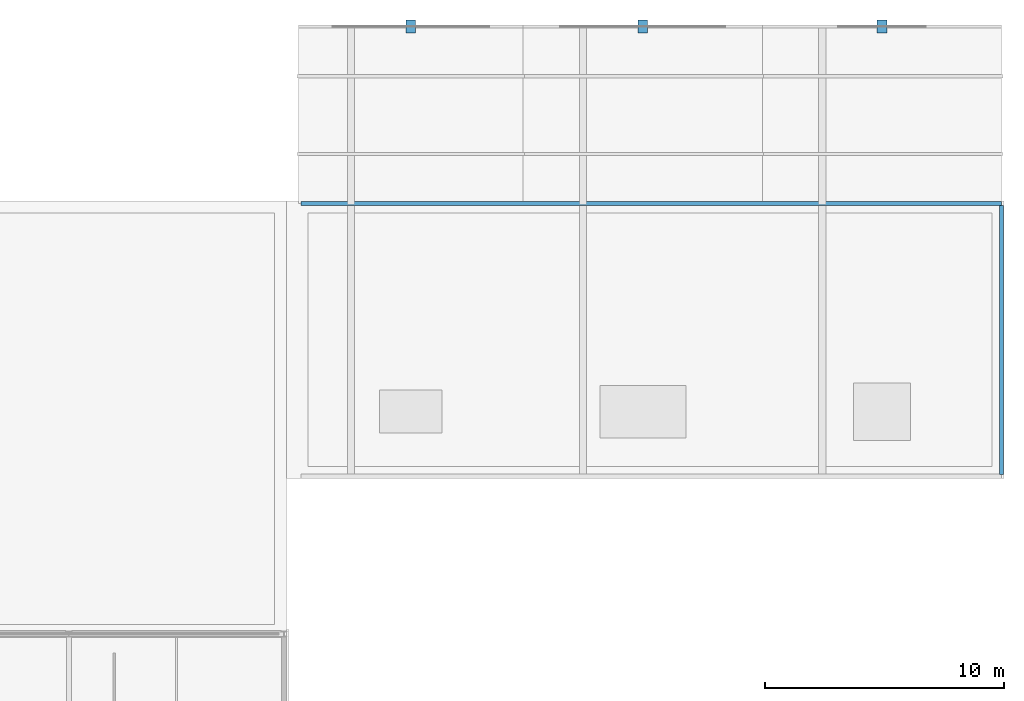
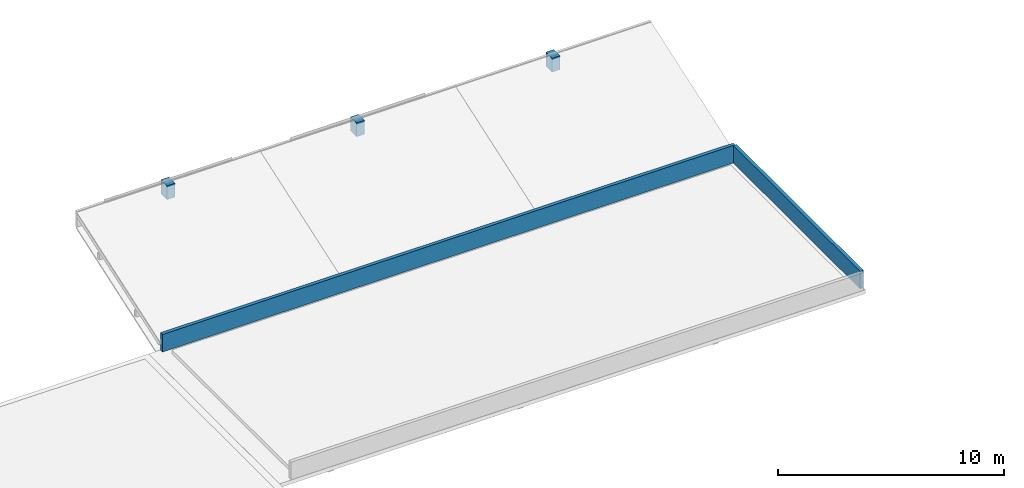
# One storey, part 35 of 38: 3 discrete accessories, 2 walls.
"""IFC4 building model written with IfcOpenShell, lengths in metres."""

from ifc_helpers import new_model, si_unit, direction, frame, frame_2d, origin, origin_2d, place, context, subcontext, project, spatial, rectangle, extrude, material, layer, layer_set, type_object, element, save


model = new_model("IFC4")

# Units and contexts
model_context = context("Model", 3, precision=1e-05, world=origin(), true_north=direction((0.0, 1.0)))
body_context = subcontext(model_context, "Body", "Model", "MODEL_VIEW")
ifc_project = project(units=[si_unit("LENGTHUNIT", "METRE"), si_unit("AREAUNIT", "SQUARE_METRE"), si_unit("VOLUMEUNIT", "CUBIC_METRE"), si_unit("PLANEANGLEUNIT", "RADIAN"), si_unit("MASSUNIT", "GRAM", prefix="KILO")], contexts=[model_context])

# Site, building, storey
site_placement = place(None, origin())
site = spatial("IfcSite", under=ifc_project, at=site_placement, CompositionType="ELEMENT")
building_placement = place(site_placement, origin())
building = spatial("IfcBuilding", under=site, at=building_placement, Name="Kaldris Quays Convention Centre", CompositionType="ELEMENT")
storey_placement = place(building_placement, frame((0.0, 0.0, 21.60009765625)))
storey = spatial("IfcBuildingStorey", under=building, at=storey_placement, Name="L04", CompositionType="ELEMENT", Elevation=21.60009765625)

# Walls
ifc_material_1 = material(Name="Precast concrete C40/50", Category="concrete")
ifc_layer = layer(ifc_material_1, 0.172119140625)
ifc_layer_set = layer_set([ifc_layer], Name="Precast concrete C40/50")
wall_type = type_object("IfcWallType", Name="EXTERIOR WALL PW03", PredefinedType="PARAPET", material=ifc_layer_set)
wall_1_placement = place(storey_placement, frame((194.0, 104.679931640625, 0.0), z_axis=(0.0, 0.0, 1.0), x_axis=(0.0, 1.0, 0.0)))
element("IfcWall", 1, at=wall_1_placement, inside=storey, type_object=wall_type, Name="L04 Roof Parapet PW03 9", PredefinedType="PARAPET", context=body_context, shape_type="SweptSolid", body=[
    extrude(rectangle(XDim=11.239990234375, YDim=0.172119140625, at=frame_2d((5.6201171875, 0.0))), origin(), (0.0, 0.0, 1.0), 0.949951171875),
])
wall_2_placement = place(storey_placement, frame((164.699951171875, 116.0, 0.0), z_axis=(0.0, 0.0, 1.0), x_axis=(1.0, 0.0, 0.0)))
element("IfcWall", 2, at=wall_2_placement, inside=storey, type_object=wall_type, Name="L04 Roof Parapet PW03 10", PredefinedType="PARAPET", context=body_context, shape_type="SweptSolid", body=[
    extrude(rectangle(XDim=29.300048828125, YDim=0.172119140625, at=frame_2d((14.64990234375, 0.0))), origin(), (0.0, 0.0, 1.0), 0.949951171875),
])

# Discrete accessories
ifc_material_2 = material(Name="Steel S355J2", Category="steel")
discrete_accessory_type = type_object("IfcDiscreteAccessoryType", Name="SCREEN OUTRIGGER BRACKET BK01", PredefinedType="BRACKET", material=ifc_material_2)
for number, where, z_axis, x_axis, name in (
    (3, (169.300048828125, 123.39990234375, 2.333251953125), (0.0, 0.0, 1.0), (-1.0, 0.0, 0.0), "WR-NORTHEAST Wing Eave Fascia Bracket 19"),
    (4, (179.0, 123.39990234375, 2.333251953125), (0.0, 0.0, 1.0), (-1.0, 0.0, 0.0), "WR-NORTHEAST Wing Eave Fascia Bracket 20"),
    (5, (189.0, 123.39990234375, 2.333251953125), (0.0, 0.0, 1.0), (-1.0, 0.0, 0.0), "WR-NORTHEAST Wing Eave Fascia Bracket 21"),
):
    element("IfcDiscreteAccessory", number, at=place(storey_placement, frame(where, z_axis=z_axis, x_axis=x_axis)), inside=storey, type_object=discrete_accessory_type, Name=name, PredefinedType="BRACKET", context=body_context, shape_type="SweptSolid", body=[
        extrude(rectangle(XDim=0.39990234375, YDim=0.550048828125, at=origin_2d()), origin(), (0.0, 0.0, 1.0), 0.75),
    ])

save(model, "model.ifc")
